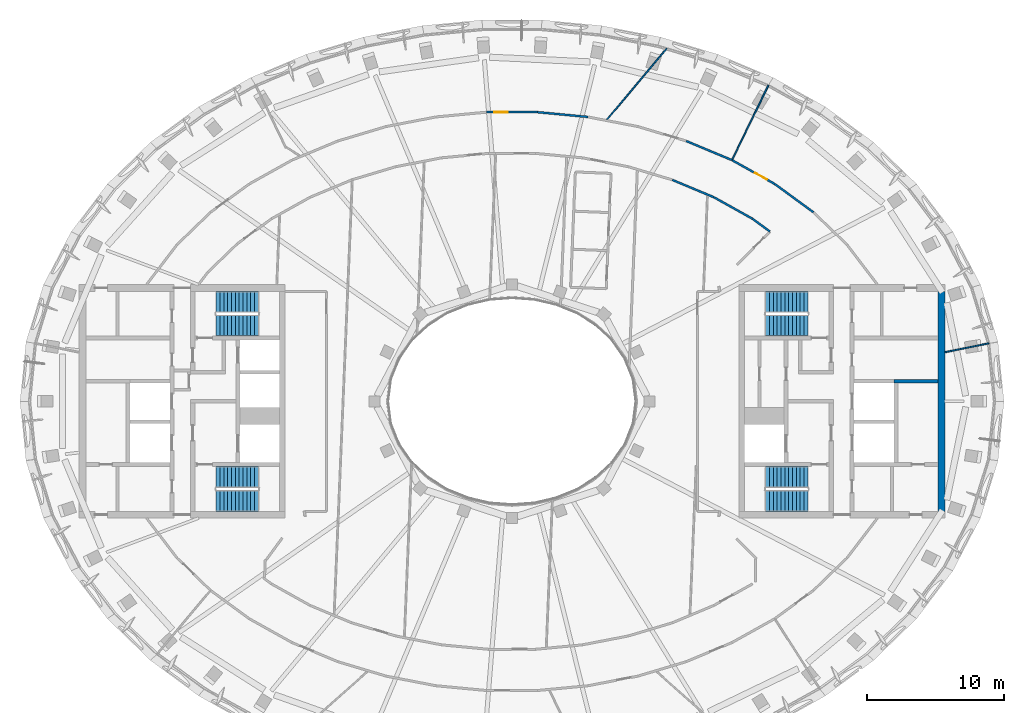
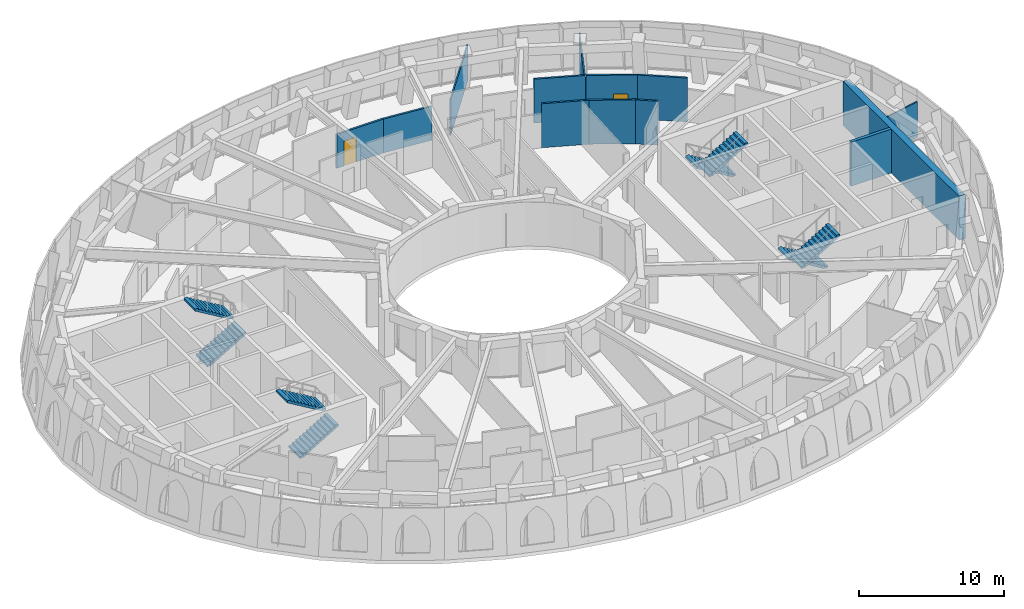
# One storey, part 7 of 14: 13 walls, 8 stair flights, 2 doors, 2 openings, 4 elements without a shape of their own.
"""IFC4 building model written with IfcOpenShell, lengths in metres."""

from ifc_helpers import new_model, si_unit, direction, frame, frame_2d, origin, place, context, subcontext, project, spatial, polyline, rectangle, outline, extrude, material, layer, layer_set, type_object, element, fill, aggregate, save


model = new_model("IFC4")

# Units and contexts
model_context = context("Model", 3, precision=1e-05, world=origin(), true_north=direction((0.0, 1.0)))
body_context = subcontext(model_context, "Body", "Model", "MODEL_VIEW")
ifc_project = project(units=[si_unit("LENGTHUNIT", "METRE"), si_unit("AREAUNIT", "SQUARE_METRE"), si_unit("VOLUMEUNIT", "CUBIC_METRE"), si_unit("PLANEANGLEUNIT", "RADIAN"), si_unit("MASSUNIT", "GRAM", prefix="KILO")], contexts=[model_context])

# Site, building, storey
site_placement = place(None, origin())
site = spatial("IfcSite", under=ifc_project, at=site_placement, CompositionType="ELEMENT")
building_placement = place(site_placement, origin())
building = spatial("IfcBuilding", under=site, at=building_placement, Name="Noorbagh Ring Tower", CompositionType="ELEMENT")
storey_placement = place(building_placement, frame((0.0, 0.0, 335.0)))
storey = spatial("IfcBuildingStorey", under=building, at=storey_placement, Name="L73", CompositionType="ELEMENT", Elevation=335.0)

# Walls
ifc_material_1 = material(Name="Concrete C50/60", Category="concrete")
ifc_layer_1 = layer(ifc_material_1, 0.25)
ifc_layer_set_1 = layer_set([ifc_layer_1], Name="Concrete C50/60")
wall_type_1 = type_object("IfcWallType", Name="CORE-WALL-250-C50-60-EI120", PredefinedType="SHEAR", material=ifc_layer_set_1)
wall_1_placement = place(storey_placement, frame((27.800048828125, 1.47509765625, 0.0), z_axis=(0.0, 0.0, 1.0), x_axis=(1.0, 0.0, 0.0)))
element("IfcWall", 1, at=wall_1_placement, inside=storey, type_object=wall_type_1, Name="Core wall E", PredefinedType="SHEAR", context=body_context, shape_type="SweptSolid", body=[
    extrude(rectangle(XDim=3.199951171875, YDim=0.25, at=frame_2d((1.60009765625, 0.0))), origin(), (0.0, 0.0, 1.0), 3.699951171875),
])
ifc_material_2 = material(Name="Concrete C50/60", Category="concrete")
ifc_layer_2 = layer(ifc_material_2, 0.5)
ifc_layer_set_2 = layer_set([ifc_layer_2], Name="Concrete C50/60")
wall_type_2 = type_object("IfcWallType", Name="CORE-WALL-500-C50-60-EI240", PredefinedType="SHEAR", material=ifc_layer_set_2)
wall_2_placement = place(storey_placement, frame((31.25, -8.0, 0.0), z_axis=(0.0, 0.0, 1.0), x_axis=(0.0, 1.0, 0.0)))
element("IfcWall", 2, at=wall_2_placement, inside=storey, type_object=wall_type_2, Name="Core wall E", PredefinedType="SHEAR", context=body_context, shape_type="SweptSolid", body=[
    extrude(rectangle(XDim=16.0, YDim=0.5, at=frame_2d((8.0, 0.0))), origin(), (0.0, 0.0, 1.0), 3.699951171875),
])

# Wall, opening, door
ifc_material_3 = material(Name="Gypsum board on steel studs", Category="steel")
ifc_layer_3 = layer(ifc_material_3, 0.14990234375)
ifc_layer_set_3 = layer_set([ifc_layer_3], Name="Gypsum board on steel studs")
wall_type_3 = type_object("IfcWallType", Name="CORRIDOR PARTITION 150 EI 30", PredefinedType="PARTITIONING", material=ifc_layer_set_3)
wall_3_placement = place(storey_placement, frame((-1.85498046875, 21.041015625, 0.0), z_axis=(0.0, 0.0, 1.0), x_axis=(1.0, 0.0, 0.0)))
wall_3 = element("IfcWall", 3, at=wall_3_placement, inside=storey, type_object=wall_type_3, Name="L73/wall/P47", PredefinedType="PARTITIONING", context=body_context, shape_type="SweptSolid", body=[
    extrude(rectangle(XDim=3.7099609375, YDim=0.14990234375, at=frame_2d((1.85498046875, 0.0))), origin(), (0.0, 0.0, 1.0), 2.85009765625),
])
opening_1_placement = place(wall_3_placement, frame((0.56005859375, 0.0, 0.0)))
opening_1 = element("IfcOpeningElement", 4, at=opening_1_placement, cuts=wall_3, Name="Opening D1", PredefinedType="OPENING", context=body_context, shape_type="SweptSolid", body=[
    extrude(rectangle(XDim=1.0, YDim=2.10009765625, at=frame_2d((0.5, 1.050048828125))), frame((0.0, 0.0849609375, 0.0), z_axis=(0.0, -1.0, 0.0), x_axis=(1.0, 0.0, 0.0)), (0.0, 0.0, 1.0), 0.169921875),
])
ifc_material_4 = material(Name="Timber, painted", Category="wood")
door_type = type_object("IfcDoorType", Name="DOOR 1000 X 2100 FD30", OperationType="SINGLE_SWING_LEFT", PredefinedType="DOOR", material=ifc_material_4)
door_1_placement = place(opening_1_placement, origin())
door_1 = element("IfcDoor", 5, at=door_1_placement, inside=storey, type_object=door_type, Name="L73-D08", OperationType="SINGLE_SWING_RIGHT", OverallHeight=2.10009765625, OverallWidth=1.0, PredefinedType="DOOR", context=body_context, shape_type="SweptSolid", body=[
    extrude(rectangle(XDim=1.0, YDim=2.10009765625, at=frame_2d((0.5, 1.050048828125))), frame((0.0, 0.02490234375, 0.0), z_axis=(0.0, -1.0, 0.0), x_axis=(1.0, 0.0, 0.0)), (0.0, 0.0, 1.0), 0.050048828125),
])
fill(opening_1, door_1)

# Walls
wall_4_placement = place(storey_placement, frame((1.85498046875, 21.041015625, 0.0), z_axis=(0.0, 0.0, 1.0), x_axis=(0.995559259594, -0.094136924932, 0.0)))
element("IfcWall", 6, at=wall_4_placement, inside=storey, type_object=wall_type_3, Name="L73/wall/P55", PredefinedType="PARTITIONING", context=body_context, shape_type="SweptSolid", body=[
    extrude(rectangle(XDim=3.685302734375, YDim=0.14990234375, at=frame_2d((1.8427734375, 0.0))), origin(), (0.0, 0.0, 1.0), 2.85009765625),
])
wall_5_placement = place(storey_placement, frame((11.660888671875, 16.114990234375, 0.0), z_axis=(0.0, 0.0, 1.0), x_axis=(0.922751694148, -0.385395006385, 0.0)))
element("IfcWall", 7, at=wall_5_placement, inside=storey, type_object=wall_type_3, Name="L73/wall/P77", PredefinedType="PARTITIONING", context=body_context, shape_type="SweptSolid", body=[
    extrude(rectangle(XDim=3.290283203125, YDim=0.14990234375, at=frame_2d((1.64501953125, 0.0))), origin(), (0.0, 0.0, 1.0), 3.699951171875),
])
wall_6_placement = place(storey_placement, frame((12.672119140625, 18.944091796875, 0.0), z_axis=(0.0, 0.0, 1.0), x_axis=(0.922767346679, -0.385357527372, 0.0)))
element("IfcWall", 8, at=wall_6_placement, inside=storey, type_object=wall_type_3, Name="L73/wall/P79", PredefinedType="PARTITIONING", context=body_context, shape_type="SweptSolid", body=[
    extrude(rectangle(XDim=3.5966796875, YDim=0.14990234375, at=frame_2d((1.79833984375, 0.0))), origin(), (0.0, 0.0, 1.0), 3.699951171875),
])
wall_7_placement = place(storey_placement, frame((14.697021484375, 14.846923828125, 0.0), z_axis=(0.0, 0.0, 1.0), x_axis=(0.873362004831, -0.487071666715, 0.0)))
element("IfcWall", 9, at=wall_7_placement, inside=storey, type_object=wall_type_3, Name="L73/wall/P87", PredefinedType="PARTITIONING", context=body_context, shape_type="SweptSolid", body=[
    extrude(rectangle(XDim=3.204833984375, YDim=0.14990234375, at=frame_2d((1.6025390625, 0.0))), origin(), (0.0, 0.0, 1.0), 3.699951171875),
])

# Wall, opening, door
wall_8_placement = place(storey_placement, frame((16.027099609375, 17.5400390625, 0.0), z_axis=(0.0, 0.0, 1.0), x_axis=(0.873381927379, -0.487035942131, 0.0)))
wall_8 = element("IfcWall", 10, at=wall_8_placement, inside=storey, type_object=wall_type_3, Name="L73/wall/P92", PredefinedType="PARTITIONING", context=body_context, shape_type="SweptSolid", body=[
    extrude(rectangle(XDim=3.5400390625, YDim=0.14990234375, at=frame_2d((1.77001953125, 0.0))), origin(), (0.0, 0.0, 1.0), 3.699951171875),
])
opening_2_placement = place(wall_8_placement, frame((1.89013671875, 0.0, 0.0)))
opening_2 = element("IfcOpeningElement", 11, at=opening_2_placement, cuts=wall_8, Name="Opening D1", PredefinedType="OPENING", context=body_context, shape_type="SweptSolid", body=[
    extrude(rectangle(XDim=1.0, YDim=2.10009765625, at=frame_2d((0.5, 1.050048828125))), frame((0.0, 0.0849609375, 0.0), z_axis=(0.0, -1.0, 0.0), x_axis=(1.0, 0.0, 0.0)), (0.0, 0.0, 1.0), 0.169921875),
])
door_2_placement = place(opening_2_placement, origin())
door_2 = element("IfcDoor", 12, at=door_2_placement, inside=storey, type_object=door_type, Name="L73-D13", OperationType="SINGLE_SWING_LEFT", OverallHeight=2.10009765625, OverallWidth=1.0, PredefinedType="DOOR", context=body_context, shape_type="SweptSolid", body=[
    extrude(rectangle(XDim=1.0, YDim=2.10009765625, at=frame_2d((0.5, 1.050048828125))), frame((0.0, 0.02490234375, 0.0), z_axis=(0.0, -1.0, 0.0), x_axis=(1.0, 0.0, 0.0)), (0.0, 0.0, 1.0), 0.050048828125),
])
fill(opening_2, door_2)

# Walls
wall_9_placement = place(storey_placement, frame((17.49609375, 13.285888671875, 0.0), z_axis=(0.0, 0.0, 1.0), x_axis=(0.807028529328, -0.590512449361, 0.0)))
element("IfcWall", 13, at=wall_9_placement, inside=storey, type_object=wall_type_3, Name="L73/wall/P95", PredefinedType="PARTITIONING", context=body_context, shape_type="SweptSolid", body=[
    extrude(rectangle(XDim=1.579833984375, YDim=0.14990234375, at=frame_2d((0.7900390625, 0.0))), origin(), (0.0, 0.0, 1.0), 3.699951171875),
])
wall_10_placement = place(storey_placement, frame((19.118896484375, 15.81591796875, 0.0), z_axis=(0.0, 0.0, 1.0), x_axis=(0.807088129358, -0.59043098788, 0.0)))
element("IfcWall", 14, at=wall_10_placement, inside=storey, type_object=wall_type_3, Name="L73/wall/P97", PredefinedType="PARTITIONING", context=body_context, shape_type="SweptSolid", body=[
    extrude(rectangle(XDim=3.4853515625, YDim=0.14990234375, at=frame_2d((1.74267578125, 0.0))), origin(), (0.0, 0.0, 1.0), 3.699951171875),
])
ifc_material_5 = material(Name="Gypsum board on steel studs", Category="steel")
ifc_layer_4 = layer(ifc_material_5, 0.10009765625)
ifc_layer_set_4 = layer_set([ifc_layer_4], Name="Gypsum board on steel studs")
wall_type_4 = type_object("IfcWallType", Name="PARTITION 100 GYPSUM", PredefinedType="PARTITIONING", material=ifc_layer_set_4)
wall_11_placement = place(storey_placement, frame((6.912109375, 20.508056640625, 0.0), z_axis=(0.0, 0.0, 1.0), x_axis=(0.644050067701, 0.76498333988, 0.0)))
element("IfcWall", 15, at=wall_11_placement, inside=storey, type_object=wall_type_4, Name="L73/wall/P68", PredefinedType="PARTITIONING", context=body_context, shape_type="SweptSolid", body=[
    extrude(rectangle(XDim=6.7568359375, YDim=0.10009765625, at=frame_2d((3.37841796875, 0.0))), origin(), (0.0, 0.0, 1.0), 3.0),
])
wall_12_placement = place(storey_placement, frame((16.011962890625, 17.552978515625, 0.0), z_axis=(0.0, 0.0, 1.0), x_axis=(0.436813549551, 0.899552067937, 0.0)))
element("IfcWall", 16, at=wall_12_placement, inside=storey, type_object=wall_type_4, Name="L73/wall/P91", PredefinedType="PARTITIONING", context=body_context, shape_type="SweptSolid", body=[
    extrude(rectangle(XDim=6.05517578125, YDim=0.10009765625, at=frame_2d((3.027587890625, 0.0))), origin(), (0.0, 0.0, 1.0), 3.0),
])
wall_13_placement = place(storey_placement, frame((31.50390625, 3.573974609375, 0.0), z_axis=(0.0, 0.0, 1.0), x_axis=(0.980159696254, 0.198209409057, 0.0)))
element("IfcWall", 17, at=wall_13_placement, inside=storey, type_object=wall_type_4, Name="L73/wall/P104", PredefinedType="PARTITIONING", context=body_context, shape_type="SweptSolid", body=[
    extrude(rectangle(XDim=3.27392578125, YDim=0.10009765625, at=frame_2d((1.636962890625, 0.0))), origin(), (0.0, 0.0, 1.0), 3.0),
])

# Stair, stair flights
ifc_material_6 = material(Name="Concrete C40/50", Category="concrete")
stair_type = type_object("IfcStairType", Name="CORE-STAIR", PredefinedType="HALF_TURN_STAIR", material=ifc_material_6)
stair_1_placement = place(storey_placement, origin())
stair_1 = element("IfcStair", 18, at=stair_1_placement, inside=storey, type_object=stair_type, Name="L73 Exit stair ST1", PredefinedType="HALF_TURN_STAIR")
ifc_material_7 = material(Name="Concrete C40/50", Category="concrete")
stair_flight_type = type_object("IfcStairFlightType", Name="CORE-STAIR-FLIGHT", PredefinedType="STRAIGHT", material=ifc_material_7)
stair_flight_1_placement = place(storey_placement, frame((-21.530029296875, 5.52490234375, 0.0), z_axis=(0.0, 0.0, 1.0), x_axis=(1.0, 0.0, 0.0)))
stair_flight_1 = element("IfcStairFlight", 19, at=stair_flight_1_placement, type_object=stair_flight_type, Name="ST1 flight 1", NumberOfRisers=12, NumberOfTreads=11, PredefinedType="STRAIGHT", RiserHeight=0.166666667, TreadLength=0.28, context=body_context, shape_type="SweptSolid", body=[
    extrude(outline(polyline([(0.0, 0.0), (0.0, 0.166748046875), (0.280029296875, 0.166748046875), (0.280029296875, 0.333251953125), (0.56005859375, 0.333251953125), (0.56005859375, 0.5), (0.840087890625, 0.5), (0.840087890625, 0.666748046875), (1.1201171875, 0.666748046875), (1.1201171875, 0.833251953125), (1.39990234375, 0.833251953125), (1.39990234375, 1.0), (1.679931640625, 1.0), (1.679931640625, 1.166748046875), (1.9599609375, 1.166748046875), (1.9599609375, 1.333251953125), (2.239990234375, 1.333251953125), (2.239990234375, 1.5), (2.52001953125, 1.5), (2.52001953125, 1.666748046875), (2.800048828125, 1.666748046875), (2.800048828125, 1.833251953125), (3.080078125, 1.833251953125), (3.080078125, 2.0), (3.080078125, 1.658935546875), (0.29296875, 0.0), (0.0, 0.0)])), frame((0.0, 0.77490234375, 0.0), z_axis=(0.0, -1.0, 0.0), x_axis=(1.0, 0.0, 0.0)), (0.0, 0.0, 1.0), 1.550048828125),
])
stair_flight_2_placement = place(storey_placement, frame((-18.449951171875, 7.22509765625, 2.0), z_axis=(0.0, 0.0, 1.0), x_axis=(-1.0, 0.0, 0.0)))
stair_flight_2 = element("IfcStairFlight", 20, at=stair_flight_2_placement, type_object=stair_flight_type, Name="ST1 flight 2", NumberOfRisers=12, NumberOfTreads=11, PredefinedType="STRAIGHT", RiserHeight=0.166666667, TreadLength=0.28, context=body_context, shape_type="SweptSolid", body=[
    extrude(outline(polyline([(0.0, 0.0), (0.0, 0.166748046875), (0.280029296875, 0.166748046875), (0.280029296875, 0.333251953125), (0.56005859375, 0.333251953125), (0.56005859375, 0.5), (0.840087890625, 0.5), (0.840087890625, 0.666748046875), (1.1201171875, 0.666748046875), (1.1201171875, 0.833251953125), (1.39990234375, 0.833251953125), (1.39990234375, 1.0), (1.679931640625, 1.0), (1.679931640625, 1.166748046875), (1.9599609375, 1.166748046875), (1.9599609375, 1.333251953125), (2.239990234375, 1.333251953125), (2.239990234375, 1.5), (2.52001953125, 1.5), (2.52001953125, 1.666748046875), (2.800048828125, 1.666748046875), (2.800048828125, 1.833251953125), (3.080078125, 1.833251953125), (3.080078125, 2.0), (3.080078125, 1.658935546875), (0.29296875, 0.0), (0.0, 0.0)])), frame((0.0, 0.77490234375, 0.0), z_axis=(0.0, -1.0, 0.0), x_axis=(1.0, 0.0, 0.0)), (0.0, 0.0, 1.0), 1.550048828125),
])
aggregate(stair_1, [stair_flight_1, stair_flight_2])

stair_2_placement = place(storey_placement, origin())
stair_2 = element("IfcStair", 21, at=stair_2_placement, inside=storey, type_object=stair_type, Name="L73 Exit stair ST2", PredefinedType="HALF_TURN_STAIR")
stair_flight_3_placement = place(storey_placement, frame((-21.530029296875, -7.22509765625, 0.0), z_axis=(0.0, 0.0, 1.0), x_axis=(1.0, 0.0, 0.0)))
stair_flight_3 = element("IfcStairFlight", 22, at=stair_flight_3_placement, type_object=stair_flight_type, Name="ST2 flight 1", NumberOfRisers=12, NumberOfTreads=11, PredefinedType="STRAIGHT", RiserHeight=0.166666667, TreadLength=0.28, context=body_context, shape_type="SweptSolid", body=[
    extrude(outline(polyline([(0.0, 0.0), (0.0, 0.166748046875), (0.280029296875, 0.166748046875), (0.280029296875, 0.333251953125), (0.56005859375, 0.333251953125), (0.56005859375, 0.5), (0.840087890625, 0.5), (0.840087890625, 0.666748046875), (1.1201171875, 0.666748046875), (1.1201171875, 0.833251953125), (1.39990234375, 0.833251953125), (1.39990234375, 1.0), (1.679931640625, 1.0), (1.679931640625, 1.166748046875), (1.9599609375, 1.166748046875), (1.9599609375, 1.333251953125), (2.239990234375, 1.333251953125), (2.239990234375, 1.5), (2.52001953125, 1.5), (2.52001953125, 1.666748046875), (2.800048828125, 1.666748046875), (2.800048828125, 1.833251953125), (3.080078125, 1.833251953125), (3.080078125, 2.0), (3.080078125, 1.658935546875), (0.29296875, 0.0), (0.0, 0.0)])), frame((0.0, 0.77490234375, 0.0), z_axis=(0.0, -1.0, 0.0), x_axis=(1.0, 0.0, 0.0)), (0.0, 0.0, 1.0), 1.550048828125),
])
stair_flight_4_placement = place(storey_placement, frame((-18.449951171875, -5.52490234375, 2.0), z_axis=(0.0, 0.0, 1.0), x_axis=(-1.0, 0.0, 0.0)))
stair_flight_4 = element("IfcStairFlight", 23, at=stair_flight_4_placement, type_object=stair_flight_type, Name="ST2 flight 2", NumberOfRisers=12, NumberOfTreads=11, PredefinedType="STRAIGHT", RiserHeight=0.166666667, TreadLength=0.28, context=body_context, shape_type="SweptSolid", body=[
    extrude(outline(polyline([(0.0, 0.0), (0.0, 0.166748046875), (0.280029296875, 0.166748046875), (0.280029296875, 0.333251953125), (0.56005859375, 0.333251953125), (0.56005859375, 0.5), (0.840087890625, 0.5), (0.840087890625, 0.666748046875), (1.1201171875, 0.666748046875), (1.1201171875, 0.833251953125), (1.39990234375, 0.833251953125), (1.39990234375, 1.0), (1.679931640625, 1.0), (1.679931640625, 1.166748046875), (1.9599609375, 1.166748046875), (1.9599609375, 1.333251953125), (2.239990234375, 1.333251953125), (2.239990234375, 1.5), (2.52001953125, 1.5), (2.52001953125, 1.666748046875), (2.800048828125, 1.666748046875), (2.800048828125, 1.833251953125), (3.080078125, 1.833251953125), (3.080078125, 2.0), (3.080078125, 1.658935546875), (0.29296875, 0.0), (0.0, 0.0)])), frame((0.0, 0.77490234375, 0.0), z_axis=(0.0, -1.0, 0.0), x_axis=(1.0, 0.0, 0.0)), (0.0, 0.0, 1.0), 1.550048828125),
])
aggregate(stair_2, [stair_flight_3, stair_flight_4])

stair_3_placement = place(storey_placement, origin())
stair_3 = element("IfcStair", 24, at=stair_3_placement, inside=storey, type_object=stair_type, Name="L73 Exit stair ST3", PredefinedType="HALF_TURN_STAIR")
stair_flight_5_placement = place(storey_placement, frame((21.530029296875, 7.22509765625, 0.0), z_axis=(0.0, 0.0, 1.0), x_axis=(-1.0, 0.0, 0.0)))
stair_flight_5 = element("IfcStairFlight", 25, at=stair_flight_5_placement, type_object=stair_flight_type, Name="ST3 flight 1", NumberOfRisers=12, NumberOfTreads=11, PredefinedType="STRAIGHT", RiserHeight=0.166666667, TreadLength=0.28, context=body_context, shape_type="SweptSolid", body=[
    extrude(outline(polyline([(0.0, 0.0), (0.0, 0.166748046875), (0.280029296875, 0.166748046875), (0.280029296875, 0.333251953125), (0.56005859375, 0.333251953125), (0.56005859375, 0.5), (0.840087890625, 0.5), (0.840087890625, 0.666748046875), (1.1201171875, 0.666748046875), (1.1201171875, 0.833251953125), (1.39990234375, 0.833251953125), (1.39990234375, 1.0), (1.679931640625, 1.0), (1.679931640625, 1.166748046875), (1.9599609375, 1.166748046875), (1.9599609375, 1.333251953125), (2.239990234375, 1.333251953125), (2.239990234375, 1.5), (2.52001953125, 1.5), (2.52001953125, 1.666748046875), (2.800048828125, 1.666748046875), (2.800048828125, 1.833251953125), (3.080078125, 1.833251953125), (3.080078125, 2.0), (3.080078125, 1.658935546875), (0.29296875, 0.0), (0.0, 0.0)])), frame((0.0, 0.77490234375, 0.0), z_axis=(0.0, -1.0, 0.0), x_axis=(1.0, 0.0, 0.0)), (0.0, 0.0, 1.0), 1.550048828125),
])
stair_flight_6_placement = place(storey_placement, frame((18.449951171875, 5.52490234375, 2.0), z_axis=(0.0, 0.0, 1.0), x_axis=(1.0, 0.0, 0.0)))
stair_flight_6 = element("IfcStairFlight", 26, at=stair_flight_6_placement, type_object=stair_flight_type, Name="ST3 flight 2", NumberOfRisers=12, NumberOfTreads=11, PredefinedType="STRAIGHT", RiserHeight=0.166666667, TreadLength=0.28, context=body_context, shape_type="SweptSolid", body=[
    extrude(outline(polyline([(0.0, 0.0), (0.0, 0.166748046875), (0.280029296875, 0.166748046875), (0.280029296875, 0.333251953125), (0.56005859375, 0.333251953125), (0.56005859375, 0.5), (0.840087890625, 0.5), (0.840087890625, 0.666748046875), (1.1201171875, 0.666748046875), (1.1201171875, 0.833251953125), (1.39990234375, 0.833251953125), (1.39990234375, 1.0), (1.679931640625, 1.0), (1.679931640625, 1.166748046875), (1.9599609375, 1.166748046875), (1.9599609375, 1.333251953125), (2.239990234375, 1.333251953125), (2.239990234375, 1.5), (2.52001953125, 1.5), (2.52001953125, 1.666748046875), (2.800048828125, 1.666748046875), (2.800048828125, 1.833251953125), (3.080078125, 1.833251953125), (3.080078125, 2.0), (3.080078125, 1.658935546875), (0.29296875, 0.0), (0.0, 0.0)])), frame((0.0, 0.77490234375, 0.0), z_axis=(0.0, -1.0, 0.0), x_axis=(1.0, 0.0, 0.0)), (0.0, 0.0, 1.0), 1.550048828125),
])
aggregate(stair_3, [stair_flight_5, stair_flight_6])

stair_4_placement = place(storey_placement, origin())
stair_4 = element("IfcStair", 27, at=stair_4_placement, inside=storey, type_object=stair_type, Name="L73 Exit stair ST4", PredefinedType="HALF_TURN_STAIR")
stair_flight_7_placement = place(storey_placement, frame((21.530029296875, -5.52490234375, 0.0), z_axis=(0.0, 0.0, 1.0), x_axis=(-1.0, 0.0, 0.0)))
stair_flight_7 = element("IfcStairFlight", 28, at=stair_flight_7_placement, type_object=stair_flight_type, Name="ST4 flight 1", NumberOfRisers=12, NumberOfTreads=11, PredefinedType="STRAIGHT", RiserHeight=0.166666667, TreadLength=0.28, context=body_context, shape_type="SweptSolid", body=[
    extrude(outline(polyline([(0.0, 0.0), (0.0, 0.166748046875), (0.280029296875, 0.166748046875), (0.280029296875, 0.333251953125), (0.56005859375, 0.333251953125), (0.56005859375, 0.5), (0.840087890625, 0.5), (0.840087890625, 0.666748046875), (1.1201171875, 0.666748046875), (1.1201171875, 0.833251953125), (1.39990234375, 0.833251953125), (1.39990234375, 1.0), (1.679931640625, 1.0), (1.679931640625, 1.166748046875), (1.9599609375, 1.166748046875), (1.9599609375, 1.333251953125), (2.239990234375, 1.333251953125), (2.239990234375, 1.5), (2.52001953125, 1.5), (2.52001953125, 1.666748046875), (2.800048828125, 1.666748046875), (2.800048828125, 1.833251953125), (3.080078125, 1.833251953125), (3.080078125, 2.0), (3.080078125, 1.658935546875), (0.29296875, 0.0), (0.0, 0.0)])), frame((0.0, 0.77490234375, 0.0), z_axis=(0.0, -1.0, 0.0), x_axis=(1.0, 0.0, 0.0)), (0.0, 0.0, 1.0), 1.550048828125),
])
stair_flight_8_placement = place(storey_placement, frame((18.449951171875, -7.22509765625, 2.0), z_axis=(0.0, 0.0, 1.0), x_axis=(1.0, 0.0, 0.0)))
stair_flight_8 = element("IfcStairFlight", 29, at=stair_flight_8_placement, type_object=stair_flight_type, Name="ST4 flight 2", NumberOfRisers=12, NumberOfTreads=11, PredefinedType="STRAIGHT", RiserHeight=0.166666667, TreadLength=0.28, context=body_context, shape_type="SweptSolid", body=[
    extrude(outline(polyline([(0.0, 0.0), (0.0, 0.166748046875), (0.280029296875, 0.166748046875), (0.280029296875, 0.333251953125), (0.56005859375, 0.333251953125), (0.56005859375, 0.5), (0.840087890625, 0.5), (0.840087890625, 0.666748046875), (1.1201171875, 0.666748046875), (1.1201171875, 0.833251953125), (1.39990234375, 0.833251953125), (1.39990234375, 1.0), (1.679931640625, 1.0), (1.679931640625, 1.166748046875), (1.9599609375, 1.166748046875), (1.9599609375, 1.333251953125), (2.239990234375, 1.333251953125), (2.239990234375, 1.5), (2.52001953125, 1.5), (2.52001953125, 1.666748046875), (2.800048828125, 1.666748046875), (2.800048828125, 1.833251953125), (3.080078125, 1.833251953125), (3.080078125, 2.0), (3.080078125, 1.658935546875), (0.29296875, 0.0), (0.0, 0.0)])), frame((0.0, 0.77490234375, 0.0), z_axis=(0.0, -1.0, 0.0), x_axis=(1.0, 0.0, 0.0)), (0.0, 0.0, 1.0), 1.550048828125),
])
aggregate(stair_4, [stair_flight_7, stair_flight_8])

save(model, "model.ifc")
